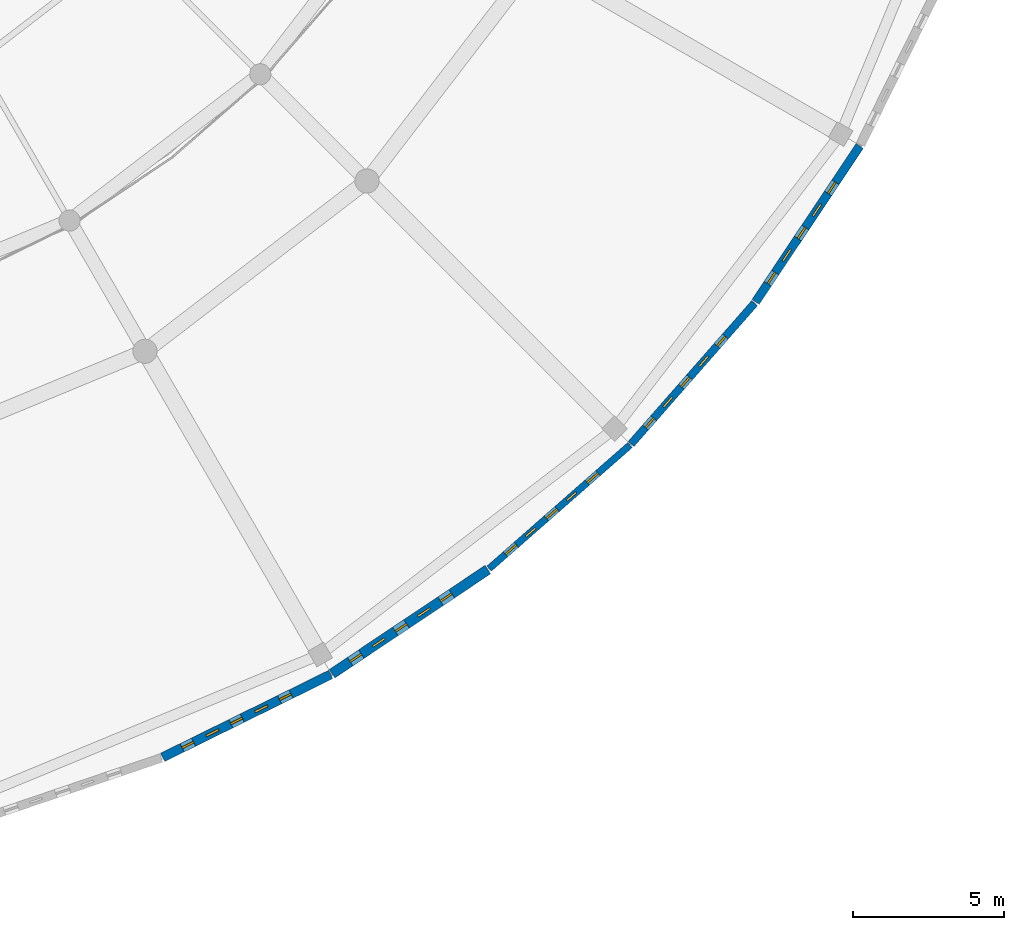
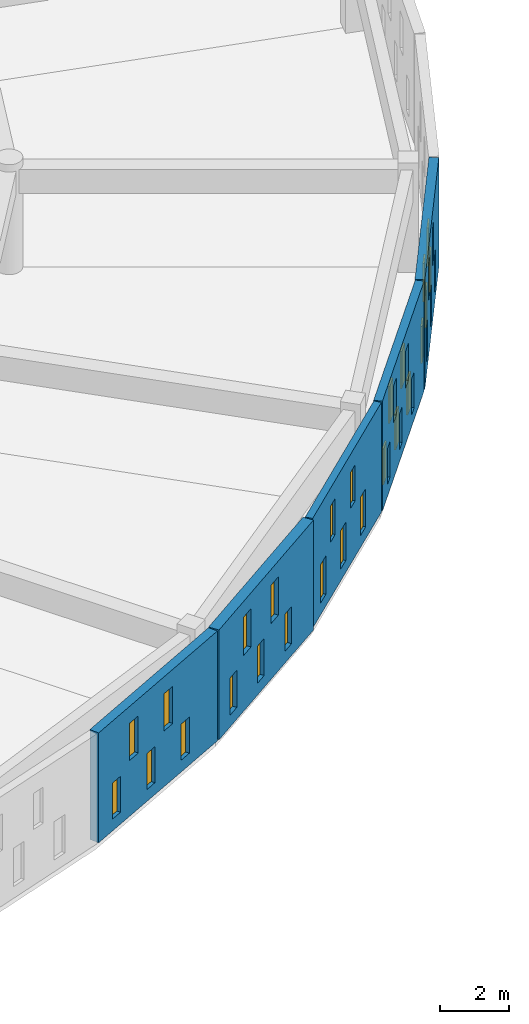
# One storey, part 58 of 98: 25 windows, 5 walls, 25 openings.
"""IFC4 building model written with IfcOpenShell, lengths in metres."""

import ifcopenshell
import ifcopenshell.guid

model = None  # the IFC model being written
_history = None  # IfcOwnerHistory: only IFC2X3 demands one
_inside = {}  # id of a spatial element -> (the spatial element, [elements in it])
_under = {}  # id of a project, library or spatial element -> (it, [spatial elements below it])
_declared = {}  # id of a project -> (the project, [libraries it declares])
_typed = {}  # id of a type object -> (the type object, [elements of that type])
_made_of = {}  # id of a material, layer set ... -> (it, [elements and type objects made of it])


def new_model(schema):
    """Start an empty IFC model of exactly this schema.

    Asked for "IFC4X3", IfcOpenShell would pick the latest addendum, in which some entities
    have other attributes; the version numbers below select the first issue.
    IFC2X3 requires an IfcOwnerHistory on every rooted entity: one is made here for all.
    """
    global model, _history
    if schema == "IFC4X3":
        model = ifcopenshell.file(schema_version=(4, 3, 0, 0))
    else:
        model = ifcopenshell.file(schema=schema)
    _inside.clear()
    _under.clear()
    _declared.clear()
    _typed.clear()
    _made_of.clear()
    _history = None
    if model.schema == "IFC2X3":
        org = make("IfcOrganization", Name="unknown")
        user = make(
            "IfcPersonAndOrganization",
            ThePerson=make("IfcPerson", FamilyName="unknown"),
            TheOrganization=org,
        )
        app = make(
            "IfcApplication",
            ApplicationDeveloper=org,
            Version="unknown",
            ApplicationFullName="unknown",
            ApplicationIdentifier="unknown",
        )
        _history = make(
            "IfcOwnerHistory",
            OwningUser=user,
            OwningApplication=app,
            ChangeAction="ADDED",
            CreationDate=0,
        )
    return model


def make(cls, **values):
    """One entity of the class cls with the attributes given. An attribute that is None is left unset."""
    return model.create_entity(
        cls, **{name: value for name, value in values.items() if value is not None}
    )


def rooted(cls, **values):
    """An entity with a GlobalId (a new one), such as an element, a storey or a relation."""
    return make(cls, GlobalId=ifcopenshell.guid.new(), OwnerHistory=_history, **values)


def si_unit(unit_type, name, prefix=None):
    """IfcSIUnit, for example si_unit("LENGTHUNIT", "METRE", prefix="MILLI")."""
    return make("IfcSIUnit", UnitType=unit_type, Prefix=prefix, Name=name)


def assignment(units):
    """IfcUnitAssignment: the units of a project."""
    return None if units is None else make("IfcUnitAssignment", Units=units)


def point(xyz):
    """IfcCartesianPoint."""
    return None if xyz is None else make("IfcCartesianPoint", Coordinates=xyz)


def direction(xyz):
    """IfcDirection."""
    return None if xyz is None else make("IfcDirection", DirectionRatios=xyz)


def frame(location, z_axis=None, x_axis=None):
    """IfcAxis2Placement3D, a coordinate frame: its origin and axes. An axis left out is left unset."""
    return make(
        "IfcAxis2Placement3D",
        Location=point(location),
        Axis=direction(z_axis),
        RefDirection=direction(x_axis),
    )


def frame_2d(location, x_axis=None):
    """IfcAxis2Placement2D, a coordinate frame in the plane: its origin and x axis."""
    return make(
        "IfcAxis2Placement2D", Location=point(location), RefDirection=direction(x_axis)
    )


def origin():
    """The frame at (0, 0, 0) with its axes left unset."""
    return frame((0.0, 0.0, 0.0))


def place(relative_to, where):
    """IfcLocalPlacement: puts the frame where relative to a parent placement (None: the world)."""
    return make(
        "IfcLocalPlacement", PlacementRelTo=relative_to, RelativePlacement=where
    )


def context(
    kind, dimensions, precision=None, world=None, true_north=None, identifier=None
):
    """IfcGeometricRepresentationContext, for example the 3D "Model" context."""
    return make(
        "IfcGeometricRepresentationContext",
        ContextIdentifier=identifier,
        ContextType=kind,
        CoordinateSpaceDimension=dimensions,
        Precision=precision,
        WorldCoordinateSystem=world,
        TrueNorth=true_north,
    )


def subcontext(parent, identifier, kind, view, scale=None):
    """IfcGeometricRepresentationSubContext, for example "Body" below "Model"."""
    return make(
        "IfcGeometricRepresentationSubContext",
        ContextIdentifier=identifier,
        ContextType=kind,
        ParentContext=parent,
        TargetScale=scale,
        TargetView=view,
    )


def project(units=None, contexts=None):
    """IfcProject with its units and contexts."""
    return rooted(
        "IfcProject",
        Name="project",
        RepresentationContexts=contexts,
        UnitsInContext=assignment(units),
    )


def spatial(cls, under=None, at=None, **own):
    """A site, building, storey or space (cls), placed at a placement, below another one or the project."""
    s = rooted(cls, ObjectPlacement=at, **own)
    if under is not None:
        _under.setdefault(under.id(), (under, []))[1].append(s)
    return s


def profile(cls, at=None, kind="AREA", **sizes):
    """A parametric profile (cls). Its sizes go by their IFC names, for example OverallWidth=200.0."""
    return make(cls, ProfileType=kind, Position=at, **sizes)


def rectangle(**sizes):
    """IfcRectangleProfileDef."""
    return profile("IfcRectangleProfileDef", **sizes)


def extrude(swept, where, along, depth):
    """IfcExtrudedAreaSolid: the profile swept, set in the frame where, extruded along a direction by depth."""
    return make(
        "IfcExtrudedAreaSolid",
        SweptArea=swept,
        Position=where,
        ExtrudedDirection=direction(along),
        Depth=depth,
    )


def shape(context_of_items, identifier, shape_type, items):
    """IfcShapeRepresentation: the items that make up one representation, for example the "Body"."""
    return make(
        "IfcShapeRepresentation",
        ContextOfItems=context_of_items,
        RepresentationIdentifier=identifier,
        RepresentationType=shape_type,
        Items=items,
    )


def material(Name=None, Category=None):
    """IfcMaterial."""
    return make("IfcMaterial", Name=Name, Category=Category)


def layer(
    of_material, thickness, ventilated=None, Name=None, Category=None, Priority=None
):
    """IfcMaterialLayer: one layer of a wall or slab, of a material (None: an air gap)."""
    return make(
        "IfcMaterialLayer",
        Material=of_material,
        LayerThickness=thickness,
        IsVentilated=ventilated,
        Name=Name,
        Category=Category,
        Priority=Priority,
    )


def layer_set(layers, Name=None):
    """IfcMaterialLayerSet."""
    return make("IfcMaterialLayerSet", MaterialLayers=layers, LayerSetName=Name)


def made_of(thing, what):
    """Note that an element or type object is made of a material, layer set ...; save() writes the relation."""
    if what is not None:
        _made_of.setdefault(what.id(), (what, []))[1].append(thing)
    return thing


def type_object(cls, material=None, **own):
    """A type object (cls), such as IfcWallType, which elements share."""
    return made_of(rooted(cls, **own), material)


def element(
    cls,
    number,
    at=None,
    inside=None,
    cuts=None,
    type_object=None,
    material=None,
    context=None,
    identifier="Body",
    shape_type=None,
    held_by="IfcProductDefinitionShape",
    body=None,
    shapes=None,
    **own,
):
    """One element of the class cls, such as IfcWall. Its Tag is "e" and its number.

    at: its placement. inside: the storey or other place that contains it. cuts: it is an
    opening in that element (IfcRelVoidsElement). A single representation is given by context,
    identifier, shape_type and body (its items); several are given by shapes. held_by: the class
    of the entity that holds the representations. save() writes the other relations.
    """
    e = rooted(cls, Tag="e%d" % number, ObjectPlacement=at, **own)
    if body is not None:
        shapes = [shape(context, identifier, shape_type, body)]
    if shapes is not None:
        e.Representation = make(held_by, Representations=shapes)
    if inside is not None:
        _inside.setdefault(inside.id(), (inside, []))[1].append(e)
    if cuts is not None:
        rooted(
            "IfcRelVoidsElement", RelatingBuildingElement=cuts, RelatedOpeningElement=e
        )
    if type_object is not None:
        _typed.setdefault(type_object.id(), (type_object, []))[1].append(e)
    return made_of(e, material)


def fill(opening, filler):
    """IfcRelFillsElement: the door or window that sits in an opening."""
    return rooted(
        "IfcRelFillsElement",
        RelatingOpeningElement=opening,
        RelatedBuildingElement=filler,
    )


def aggregate(whole, parts):
    """IfcRelAggregates: a whole, such as a stair, and the parts it consists of."""
    return rooted("IfcRelAggregates", RelatingObject=whole, RelatedObjects=parts)


def save(model, path):
    """Write the relations noted so far, then the file.

    IfcRelAggregates (storeys below a building ...), IfcRelContainedInSpatialStructure (elements
    in a storey), IfcRelDefinesByType, IfcRelAssociatesMaterial and IfcRelDeclares: one each for
    every whole, place, type object, material and project.
    """
    for whole, parts in _under.values():
        aggregate(whole, parts)
    for where, things in _inside.values():
        rooted(
            "IfcRelContainedInSpatialStructure",
            RelatedElements=things,
            RelatingStructure=where,
        )
    for kind, things in _typed.values():
        rooted("IfcRelDefinesByType", RelatedObjects=things, RelatingType=kind)
    for what, things in _made_of.values():
        rooted("IfcRelAssociatesMaterial", RelatedObjects=things, RelatingMaterial=what)
    for by, libraries in _declared.values():
        rooted("IfcRelDeclares", RelatingContext=by, RelatedDefinitions=libraries)
    model.write(path)


model = new_model("IFC4")

# Units and contexts
model_context = context("Model", 3, precision=1e-05, world=origin(), true_north=direction((0.0, 1.0)))
body_context = subcontext(model_context, "Body", "Model", "MODEL_VIEW")
ifc_project = project(units=[si_unit("LENGTHUNIT", "METRE"), si_unit("AREAUNIT", "SQUARE_METRE"), si_unit("VOLUMEUNIT", "CUBIC_METRE"), si_unit("PLANEANGLEUNIT", "RADIAN"), si_unit("MASSUNIT", "GRAM", prefix="KILO")], contexts=[model_context])

# Site, building, storey
site_placement = place(None, origin())
site = spatial("IfcSite", under=ifc_project, at=site_placement, CompositionType="ELEMENT")
building_placement = place(site_placement, origin())
building = spatial("IfcBuilding", under=site, at=building_placement, Name="Larkveld Mobility Hub", CompositionType="ELEMENT")
storey_placement = place(building_placement, frame((0.0, 0.0, 4.5)))
storey = spatial("IfcBuildingStorey", under=building, at=storey_placement, Name="L01", CompositionType="ELEMENT", Elevation=4.5)

# Wall, openings, windows
ifc_material_1 = material(Name="Fired clay brick 25 MPa", Category="masonry")
ifc_layer_1 = layer(ifc_material_1, 0.22998046875, Name="Fired clay brick 25 MPa", Category="masonry")
ifc_layer_set_1 = layer_set([ifc_layer_1], Name="Fired clay brick 25 MPa")
wall_type_1 = type_object("IfcWallType", Name="WL-BRK-230", PredefinedType="USERDEFINED", material=ifc_layer_set_1)
wall_1_placement = place(storey_placement, frame((77.14697265625, 10.053955078125, 0.0), z_axis=(0.0, 0.0, 1.0), x_axis=(0.751874993266, 0.65930569124, 0.0)))
wall_1 = element("IfcWall", 1, at=wall_1_placement, inside=storey, type_object=wall_type_1, Name="Drum Woven Open-Bond Brick Chord L01-0086", ObjectType="PERFORATED BRICK SCREEN", PredefinedType="USERDEFINED", context=body_context, shape_type="SweptSolid", body=[
    extrude(rectangle(XDim=6.2109375, YDim=0.22998046875, at=frame_2d((3.10546875, 0.0))), origin(), (0.0, 0.0, 1.0), 3.89990234375),
])
opening_1_placement = place(wall_1_placement, frame((0.719970703125, 0.0, 0.419921875)))
opening_1 = element("IfcOpeningElement", 2, at=opening_1_placement, cuts=wall_1, Name="Opening W03", PredefinedType="OPENING", context=body_context, shape_type="SweptSolid", body=[
    extrude(rectangle(XDim=0.47998046875, YDim=1.360107421875, at=frame_2d((0.239990234375, 0.68017578125))), frame((0.0, 0.125, 0.0), z_axis=(0.0, -1.0, 0.0), x_axis=(1.0, 0.0, 0.0)), (0.0, 0.0, 1.0), 0.25),
])
opening_2_placement = place(wall_1_placement, frame((2.52001953125, 0.0, 0.419921875)))
opening_2 = element("IfcOpeningElement", 3, at=opening_2_placement, cuts=wall_1, Name="Opening W03", PredefinedType="OPENING", context=body_context, shape_type="SweptSolid", body=[
    extrude(rectangle(XDim=0.47998046875, YDim=1.360107421875, at=frame_2d((0.239990234375, 0.68017578125))), frame((0.0, 0.125, 0.0), z_axis=(0.0, -1.0, 0.0), x_axis=(1.0, 0.0, 0.0)), (0.0, 0.0, 1.0), 0.25),
])
opening_3_placement = place(wall_1_placement, frame((4.320068359375, 0.0, 0.419921875)))
opening_3 = element("IfcOpeningElement", 4, at=opening_3_placement, cuts=wall_1, Name="Opening W03", PredefinedType="OPENING", context=body_context, shape_type="SweptSolid", body=[
    extrude(rectangle(XDim=0.47998046875, YDim=1.360107421875, at=frame_2d((0.239990234375, 0.68017578125))), frame((0.0, 0.125, 0.0), z_axis=(0.0, -1.0, 0.0), x_axis=(1.0, 0.0, 0.0)), (0.0, 0.0, 1.0), 0.25),
])
opening_4_placement = place(wall_1_placement, frame((1.6201171875, 0.0, 1.97998046875)))
opening_4 = element("IfcOpeningElement", 5, at=opening_4_placement, cuts=wall_1, Name="Opening W01", PredefinedType="OPENING", context=body_context, shape_type="SweptSolid", body=[
    extrude(rectangle(XDim=0.419921875, YDim=1.280029296875, at=frame_2d((0.2099609375, 0.64013671875))), frame((0.0, 0.125, 0.0), z_axis=(0.0, -1.0, 0.0), x_axis=(1.0, 0.0, 0.0)), (0.0, 0.0, 1.0), 0.25),
])
opening_5_placement = place(wall_1_placement, frame((3.419921875, 0.0, 1.97998046875)))
opening_5 = element("IfcOpeningElement", 6, at=opening_5_placement, cuts=wall_1, Name="Opening W01", PredefinedType="OPENING", context=body_context, shape_type="SweptSolid", body=[
    extrude(rectangle(XDim=0.419921875, YDim=1.280029296875, at=frame_2d((0.2099609375, 0.64013671875))), frame((0.0, 0.125, 0.0), z_axis=(0.0, -1.0, 0.0), x_axis=(1.0, 0.0, 0.0)), (0.0, 0.0, 1.0), 0.25),
])
ifc_material_2 = material(Name="Extruded aluminium ventilation grille", Category="aluminium")
window_type_1 = type_object("IfcWindowType", Name="WN-VENT-01", PartitioningType="SINGLE_PANEL", PredefinedType="WINDOW", material=ifc_material_2)
window_1_placement = place(opening_4_placement, origin())
window_1 = element("IfcWindow", 7, at=window_1_placement, inside=storey, type_object=window_type_1, Name="Window W01 (0419)", OverallHeight=1.280029296875, OverallWidth=0.419921875, PartitioningType="SINGLE_PANEL", PredefinedType="WINDOW", context=body_context, shape_type="SweptSolid", body=[
    extrude(rectangle(XDim=0.419921875, YDim=1.280029296875, at=frame_2d((0.2099609375, 0.64013671875))), frame((0.0, 0.030029296875, 0.0), z_axis=(0.0, -1.0, 0.0), x_axis=(1.0, 0.0, 0.0)), (0.0, 0.0, 1.0), 0.06005859375),
])
fill(opening_4, window_1)
window_2_placement = place(opening_5_placement, origin())
window_2 = element("IfcWindow", 8, at=window_2_placement, inside=storey, type_object=window_type_1, Name="Window W01 (0420)", OverallHeight=1.280029296875, OverallWidth=0.419921875, PartitioningType="SINGLE_PANEL", PredefinedType="WINDOW", context=body_context, shape_type="SweptSolid", body=[
    extrude(rectangle(XDim=0.419921875, YDim=1.280029296875, at=frame_2d((0.2099609375, 0.64013671875))), frame((0.0, 0.030029296875, 0.0), z_axis=(0.0, -1.0, 0.0), x_axis=(1.0, 0.0, 0.0)), (0.0, 0.0, 1.0), 0.06005859375),
])
fill(opening_5, window_2)
window_type_2 = type_object("IfcWindowType", Name="WN-VENT-03", PartitioningType="SINGLE_PANEL", PredefinedType="WINDOW", material=ifc_material_2)
window_3_placement = place(opening_1_placement, origin())
window_3 = element("IfcWindow", 9, at=window_3_placement, inside=storey, type_object=window_type_2, Name="Window W03 (0416)", OverallHeight=1.360107421875, OverallWidth=0.47998046875, PartitioningType="SINGLE_PANEL", PredefinedType="WINDOW", context=body_context, shape_type="SweptSolid", body=[
    extrude(rectangle(XDim=0.47998046875, YDim=1.360107421875, at=frame_2d((0.239990234375, 0.68017578125))), frame((0.0, 0.030029296875, 0.0), z_axis=(0.0, -1.0, 0.0), x_axis=(1.0, 0.0, 0.0)), (0.0, 0.0, 1.0), 0.06005859375),
])
fill(opening_1, window_3)
window_4_placement = place(opening_2_placement, origin())
window_4 = element("IfcWindow", 10, at=window_4_placement, inside=storey, type_object=window_type_2, Name="Window W03 (0417)", OverallHeight=1.360107421875, OverallWidth=0.47998046875, PartitioningType="SINGLE_PANEL", PredefinedType="WINDOW", context=body_context, shape_type="SweptSolid", body=[
    extrude(rectangle(XDim=0.47998046875, YDim=1.360107421875, at=frame_2d((0.239990234375, 0.68017578125))), frame((0.0, 0.030029296875, 0.0), z_axis=(0.0, -1.0, 0.0), x_axis=(1.0, 0.0, 0.0)), (0.0, 0.0, 1.0), 0.06005859375),
])
fill(opening_2, window_4)
window_5_placement = place(opening_3_placement, origin())
window_5 = element("IfcWindow", 11, at=window_5_placement, inside=storey, type_object=window_type_2, Name="Window W03 (0418)", OverallHeight=1.360107421875, OverallWidth=0.47998046875, PartitioningType="SINGLE_PANEL", PredefinedType="WINDOW", context=body_context, shape_type="SweptSolid", body=[
    extrude(rectangle(XDim=0.47998046875, YDim=1.360107421875, at=frame_2d((0.239990234375, 0.68017578125))), frame((0.0, 0.030029296875, 0.0), z_axis=(0.0, -1.0, 0.0), x_axis=(1.0, 0.0, 0.0)), (0.0, 0.0, 1.0), 0.06005859375),
])
fill(opening_3, window_5)

ifc_layer_2 = layer(ifc_material_1, 0.260009765625, Name="Fired clay brick 25 MPa", Category="masonry")
ifc_layer_set_2 = layer_set([ifc_layer_2], Name="Fired clay brick 25 MPa")
wall_type_2 = type_object("IfcWallType", Name="WL-BRK-260", PredefinedType="USERDEFINED", material=ifc_layer_set_2)
wall_2_placement = place(storey_placement, frame((81.85107421875, 14.18310546875, 0.0), z_axis=(0.0, 0.0, 1.0), x_axis=(0.65930569124, 0.751874993266, 0.0)))
wall_2 = element("IfcWall", 12, at=wall_2_placement, inside=storey, type_object=wall_type_2, Name="Drum Woven Open-Bond Brick Chord L01-0087", ObjectType="PERFORATED BRICK SCREEN", PredefinedType="USERDEFINED", context=body_context, shape_type="SweptSolid", body=[
    extrude(rectangle(XDim=6.2109375, YDim=0.260009765625, at=frame_2d((3.10546875, 0.0))), origin(), (0.0, 0.0, 1.0), 3.89990234375),
])
opening_6_placement = place(wall_2_placement, frame((0.719970703125, 0.0, 0.419921875)))
opening_6 = element("IfcOpeningElement", 13, at=opening_6_placement, cuts=wall_2, Name="Opening W01", PredefinedType="OPENING", context=body_context, shape_type="SweptSolid", body=[
    extrude(rectangle(XDim=0.419921875, YDim=1.280029296875, at=frame_2d((0.2099609375, 0.64013671875))), frame((0.0, 0.14013671875, 0.0), z_axis=(0.0, -1.0, 0.0), x_axis=(1.0, 0.0, 0.0)), (0.0, 0.0, 1.0), 0.280029296875),
])
opening_7_placement = place(wall_2_placement, frame((2.52001953125, 0.0, 0.419921875)))
opening_7 = element("IfcOpeningElement", 14, at=opening_7_placement, cuts=wall_2, Name="Opening W01", PredefinedType="OPENING", context=body_context, shape_type="SweptSolid", body=[
    extrude(rectangle(XDim=0.419921875, YDim=1.280029296875, at=frame_2d((0.2099609375, 0.64013671875))), frame((0.0, 0.14013671875, 0.0), z_axis=(0.0, -1.0, 0.0), x_axis=(1.0, 0.0, 0.0)), (0.0, 0.0, 1.0), 0.280029296875),
])
opening_8_placement = place(wall_2_placement, frame((4.320068359375, 0.0, 0.419921875)))
opening_8 = element("IfcOpeningElement", 15, at=opening_8_placement, cuts=wall_2, Name="Opening W01", PredefinedType="OPENING", context=body_context, shape_type="SweptSolid", body=[
    extrude(rectangle(XDim=0.419921875, YDim=1.280029296875, at=frame_2d((0.2099609375, 0.64013671875))), frame((0.0, 0.14013671875, 0.0), z_axis=(0.0, -1.0, 0.0), x_axis=(1.0, 0.0, 0.0)), (0.0, 0.0, 1.0), 0.280029296875),
])
opening_9_placement = place(wall_2_placement, frame((1.6201171875, 0.0, 1.97998046875)))
opening_9 = element("IfcOpeningElement", 16, at=opening_9_placement, cuts=wall_2, Name="Opening W02", PredefinedType="OPENING", context=body_context, shape_type="SweptSolid", body=[
    extrude(rectangle(XDim=0.449951171875, YDim=1.320068359375, at=frame_2d((0.22509765625, 0.66015625))), frame((0.0, 0.14013671875, 0.0), z_axis=(0.0, -1.0, 0.0), x_axis=(1.0, 0.0, 0.0)), (0.0, 0.0, 1.0), 0.280029296875),
])
opening_10_placement = place(wall_2_placement, frame((3.419921875, 0.0, 1.97998046875)))
opening_10 = element("IfcOpeningElement", 17, at=opening_10_placement, cuts=wall_2, Name="Opening W02", PredefinedType="OPENING", context=body_context, shape_type="SweptSolid", body=[
    extrude(rectangle(XDim=0.449951171875, YDim=1.320068359375, at=frame_2d((0.22509765625, 0.66015625))), frame((0.0, 0.14013671875, 0.0), z_axis=(0.0, -1.0, 0.0), x_axis=(1.0, 0.0, 0.0)), (0.0, 0.0, 1.0), 0.280029296875),
])
window_6_placement = place(opening_6_placement, origin())
window_6 = element("IfcWindow", 18, at=window_6_placement, inside=storey, type_object=window_type_1, Name="Window W01 (0421)", OverallHeight=1.280029296875, OverallWidth=0.419921875, PartitioningType="SINGLE_PANEL", PredefinedType="WINDOW", context=body_context, shape_type="SweptSolid", body=[
    extrude(rectangle(XDim=0.419921875, YDim=1.280029296875, at=frame_2d((0.2099609375, 0.64013671875))), frame((0.0, 0.030029296875, 0.0), z_axis=(0.0, -1.0, 0.0), x_axis=(1.0, 0.0, 0.0)), (0.0, 0.0, 1.0), 0.06005859375),
])
fill(opening_6, window_6)
window_7_placement = place(opening_7_placement, origin())
window_7 = element("IfcWindow", 19, at=window_7_placement, inside=storey, type_object=window_type_1, Name="Window W01 (0422)", OverallHeight=1.280029296875, OverallWidth=0.419921875, PartitioningType="SINGLE_PANEL", PredefinedType="WINDOW", context=body_context, shape_type="SweptSolid", body=[
    extrude(rectangle(XDim=0.419921875, YDim=1.280029296875, at=frame_2d((0.2099609375, 0.64013671875))), frame((0.0, 0.030029296875, 0.0), z_axis=(0.0, -1.0, 0.0), x_axis=(1.0, 0.0, 0.0)), (0.0, 0.0, 1.0), 0.06005859375),
])
fill(opening_7, window_7)
window_8_placement = place(opening_8_placement, origin())
window_8 = element("IfcWindow", 20, at=window_8_placement, inside=storey, type_object=window_type_1, Name="Window W01 (0423)", OverallHeight=1.280029296875, OverallWidth=0.419921875, PartitioningType="SINGLE_PANEL", PredefinedType="WINDOW", context=body_context, shape_type="SweptSolid", body=[
    extrude(rectangle(XDim=0.419921875, YDim=1.280029296875, at=frame_2d((0.2099609375, 0.64013671875))), frame((0.0, 0.030029296875, 0.0), z_axis=(0.0, -1.0, 0.0), x_axis=(1.0, 0.0, 0.0)), (0.0, 0.0, 1.0), 0.06005859375),
])
fill(opening_8, window_8)
window_type_3 = type_object("IfcWindowType", Name="WN-VENT-02", PartitioningType="SINGLE_PANEL", PredefinedType="WINDOW", material=ifc_material_2)
window_9_placement = place(opening_9_placement, origin())
window_9 = element("IfcWindow", 21, at=window_9_placement, inside=storey, type_object=window_type_3, Name="Window W02 (0424)", OverallHeight=1.320068359375, OverallWidth=0.449951171875, PartitioningType="SINGLE_PANEL", PredefinedType="WINDOW", context=body_context, shape_type="SweptSolid", body=[
    extrude(rectangle(XDim=0.449951171875, YDim=1.320068359375, at=frame_2d((0.22509765625, 0.66015625))), frame((0.0, 0.030029296875, 0.0), z_axis=(0.0, -1.0, 0.0), x_axis=(1.0, 0.0, 0.0)), (0.0, 0.0, 1.0), 0.06005859375),
])
fill(opening_9, window_9)
window_10_placement = place(opening_10_placement, origin())
window_10 = element("IfcWindow", 22, at=window_10_placement, inside=storey, type_object=window_type_3, Name="Window W02 (0425)", OverallHeight=1.320068359375, OverallWidth=0.449951171875, PartitioningType="SINGLE_PANEL", PredefinedType="WINDOW", context=body_context, shape_type="SweptSolid", body=[
    extrude(rectangle(XDim=0.449951171875, YDim=1.320068359375, at=frame_2d((0.22509765625, 0.66015625))), frame((0.0, 0.030029296875, 0.0), z_axis=(0.0, -1.0, 0.0), x_axis=(1.0, 0.0, 0.0)), (0.0, 0.0, 1.0), 0.06005859375),
])
fill(opening_10, window_10)

ifc_layer_3 = layer(ifc_material_1, 0.2900390625, Name="Fired clay brick 25 MPa", Category="masonry")
ifc_layer_set_3 = layer_set([ifc_layer_3], Name="Fired clay brick 25 MPa")
wall_type_3 = type_object("IfcWallType", Name="WL-BRK-290", PredefinedType="USERDEFINED", material=ifc_layer_set_3)
wall_3_placement = place(storey_placement, frame((85.97509765625, 18.89111328125, 0.0), z_axis=(0.0, 0.0, 1.0), x_axis=(0.555634193664, 0.831426871608, 0.0)))
wall_3 = element("IfcWall", 23, at=wall_3_placement, inside=storey, type_object=wall_type_3, Name="Drum Woven Open-Bond Brick Chord L01-0088", ObjectType="PERFORATED BRICK SCREEN", PredefinedType="USERDEFINED", context=body_context, shape_type="SweptSolid", body=[
    extrude(rectangle(XDim=6.210693359375, YDim=0.2900390625, at=frame_2d((3.10546875, 0.0))), origin(), (0.0, 0.0, 1.0), 3.89990234375),
])
opening_11_placement = place(wall_3_placement, frame((0.719970703125, 0.0, 0.419921875)))
opening_11 = element("IfcOpeningElement", 24, at=opening_11_placement, cuts=wall_3, Name="Opening W02", PredefinedType="OPENING", context=body_context, shape_type="SweptSolid", body=[
    extrude(rectangle(XDim=0.449951171875, YDim=1.320068359375, at=frame_2d((0.22509765625, 0.66015625))), frame((0.0, 0.155029296875, 0.0), z_axis=(0.0, -1.0, 0.0), x_axis=(1.0, 0.0, 0.0)), (0.0, 0.0, 1.0), 0.31005859375),
])
opening_12_placement = place(wall_3_placement, frame((2.52001953125, 0.0, 0.419921875)))
opening_12 = element("IfcOpeningElement", 25, at=opening_12_placement, cuts=wall_3, Name="Opening W02", PredefinedType="OPENING", context=body_context, shape_type="SweptSolid", body=[
    extrude(rectangle(XDim=0.449951171875, YDim=1.320068359375, at=frame_2d((0.22509765625, 0.66015625))), frame((0.0, 0.155029296875, 0.0), z_axis=(0.0, -1.0, 0.0), x_axis=(1.0, 0.0, 0.0)), (0.0, 0.0, 1.0), 0.31005859375),
])
opening_13_placement = place(wall_3_placement, frame((4.320068359375, 0.0, 0.419921875)))
opening_13 = element("IfcOpeningElement", 26, at=opening_13_placement, cuts=wall_3, Name="Opening W02", PredefinedType="OPENING", context=body_context, shape_type="SweptSolid", body=[
    extrude(rectangle(XDim=0.449951171875, YDim=1.320068359375, at=frame_2d((0.22509765625, 0.66015625))), frame((0.0, 0.155029296875, 0.0), z_axis=(0.0, -1.0, 0.0), x_axis=(1.0, 0.0, 0.0)), (0.0, 0.0, 1.0), 0.31005859375),
])
opening_14_placement = place(wall_3_placement, frame((1.6201171875, 0.0, 1.97998046875)))
opening_14 = element("IfcOpeningElement", 27, at=opening_14_placement, cuts=wall_3, Name="Opening W03", PredefinedType="OPENING", context=body_context, shape_type="SweptSolid", body=[
    extrude(rectangle(XDim=0.47998046875, YDim=1.360107421875, at=frame_2d((0.239990234375, 0.68017578125))), frame((0.0, 0.155029296875, 0.0), z_axis=(0.0, -1.0, 0.0), x_axis=(1.0, 0.0, 0.0)), (0.0, 0.0, 1.0), 0.31005859375),
])
opening_15_placement = place(wall_3_placement, frame((3.419921875, 0.0, 1.97998046875)))
opening_15 = element("IfcOpeningElement", 28, at=opening_15_placement, cuts=wall_3, Name="Opening W03", PredefinedType="OPENING", context=body_context, shape_type="SweptSolid", body=[
    extrude(rectangle(XDim=0.47998046875, YDim=1.360107421875, at=frame_2d((0.239990234375, 0.68017578125))), frame((0.0, 0.155029296875, 0.0), z_axis=(0.0, -1.0, 0.0), x_axis=(1.0, 0.0, 0.0)), (0.0, 0.0, 1.0), 0.31005859375),
])
window_11_placement = place(opening_11_placement, origin())
window_11 = element("IfcWindow", 29, at=window_11_placement, inside=storey, type_object=window_type_3, Name="Window W02 (0426)", OverallHeight=1.320068359375, OverallWidth=0.449951171875, PartitioningType="SINGLE_PANEL", PredefinedType="WINDOW", context=body_context, shape_type="SweptSolid", body=[
    extrude(rectangle(XDim=0.449951171875, YDim=1.320068359375, at=frame_2d((0.22509765625, 0.66015625))), frame((0.0, 0.030029296875, 0.0), z_axis=(0.0, -1.0, 0.0), x_axis=(1.0, 0.0, 0.0)), (0.0, 0.0, 1.0), 0.06005859375),
])
fill(opening_11, window_11)
window_12_placement = place(opening_12_placement, origin())
window_12 = element("IfcWindow", 30, at=window_12_placement, inside=storey, type_object=window_type_3, Name="Window W02 (0427)", OverallHeight=1.320068359375, OverallWidth=0.449951171875, PartitioningType="SINGLE_PANEL", PredefinedType="WINDOW", context=body_context, shape_type="SweptSolid", body=[
    extrude(rectangle(XDim=0.449951171875, YDim=1.320068359375, at=frame_2d((0.22509765625, 0.66015625))), frame((0.0, 0.030029296875, 0.0), z_axis=(0.0, -1.0, 0.0), x_axis=(1.0, 0.0, 0.0)), (0.0, 0.0, 1.0), 0.06005859375),
])
fill(opening_12, window_12)
window_13_placement = place(opening_13_placement, origin())
window_13 = element("IfcWindow", 31, at=window_13_placement, inside=storey, type_object=window_type_3, Name="Window W02 (0428)", OverallHeight=1.320068359375, OverallWidth=0.449951171875, PartitioningType="SINGLE_PANEL", PredefinedType="WINDOW", context=body_context, shape_type="SweptSolid", body=[
    extrude(rectangle(XDim=0.449951171875, YDim=1.320068359375, at=frame_2d((0.22509765625, 0.66015625))), frame((0.0, 0.030029296875, 0.0), z_axis=(0.0, -1.0, 0.0), x_axis=(1.0, 0.0, 0.0)), (0.0, 0.0, 1.0), 0.06005859375),
])
fill(opening_13, window_13)
window_14_placement = place(opening_14_placement, origin())
window_14 = element("IfcWindow", 32, at=window_14_placement, inside=storey, type_object=window_type_2, Name="Window W03 (0429)", OverallHeight=1.360107421875, OverallWidth=0.47998046875, PartitioningType="SINGLE_PANEL", PredefinedType="WINDOW", context=body_context, shape_type="SweptSolid", body=[
    extrude(rectangle(XDim=0.47998046875, YDim=1.360107421875, at=frame_2d((0.239990234375, 0.68017578125))), frame((0.0, 0.030029296875, 0.0), z_axis=(0.0, -1.0, 0.0), x_axis=(1.0, 0.0, 0.0)), (0.0, 0.0, 1.0), 0.06005859375),
])
fill(opening_14, window_14)
window_15_placement = place(opening_15_placement, origin())
window_15 = element("IfcWindow", 33, at=window_15_placement, inside=storey, type_object=window_type_2, Name="Window W03 (0430)", OverallHeight=1.360107421875, OverallWidth=0.47998046875, PartitioningType="SINGLE_PANEL", PredefinedType="WINDOW", context=body_context, shape_type="SweptSolid", body=[
    extrude(rectangle(XDim=0.47998046875, YDim=1.360107421875, at=frame_2d((0.239990234375, 0.68017578125))), frame((0.0, 0.030029296875, 0.0), z_axis=(0.0, -1.0, 0.0), x_axis=(1.0, 0.0, 0.0)), (0.0, 0.0, 1.0), 0.06005859375),
])
fill(opening_15, window_15)

ifc_layer_4 = layer(ifc_material_1, 0.31005859375, Name="Fired clay brick 25 MPa", Category="masonry")
ifc_layer_set_4 = layer_set([ifc_layer_4], Name="Fired clay brick 25 MPa")
wall_type_4 = type_object("IfcWallType", Name="WL-BRK-310", PredefinedType="USERDEFINED", material=ifc_layer_set_4)
wall_4_placement = place(storey_placement, frame((66.3330078125, 3.802978515625, 0.0), z_axis=(0.0, 0.0, 1.0), x_axis=(0.896858908126, 0.442316740488, 0.0)))
wall_4 = element("IfcWall", 34, at=wall_4_placement, inside=storey, type_object=wall_type_4, Name="Drum Woven Open-Bond Brick Chord L01-0084", ObjectType="PERFORATED BRICK SCREEN", PredefinedType="USERDEFINED", context=body_context, shape_type="SweptSolid", body=[
    extrude(rectangle(XDim=6.210693359375, YDim=0.31005859375, at=frame_2d((3.10546875, 0.0))), origin(), (0.0, 0.0, 1.0), 3.89990234375),
])
opening_16_placement = place(wall_4_placement, frame((0.719970703125, 0.0, 0.419921875)))
opening_16 = element("IfcOpeningElement", 35, at=opening_16_placement, cuts=wall_4, Name="Opening W01", PredefinedType="OPENING", context=body_context, shape_type="SweptSolid", body=[
    extrude(rectangle(XDim=0.419921875, YDim=1.280029296875, at=frame_2d((0.2099609375, 0.64013671875))), frame((0.0, 0.1650390625, 0.0), z_axis=(0.0, -1.0, 0.0), x_axis=(1.0, 0.0, 0.0)), (0.0, 0.0, 1.0), 0.330078125),
])
opening_17_placement = place(wall_4_placement, frame((2.52001953125, 0.0, 0.419921875)))
opening_17 = element("IfcOpeningElement", 36, at=opening_17_placement, cuts=wall_4, Name="Opening W01", PredefinedType="OPENING", context=body_context, shape_type="SweptSolid", body=[
    extrude(rectangle(XDim=0.419921875, YDim=1.280029296875, at=frame_2d((0.2099609375, 0.64013671875))), frame((0.0, 0.1650390625, 0.0), z_axis=(0.0, -1.0, 0.0), x_axis=(1.0, 0.0, 0.0)), (0.0, 0.0, 1.0), 0.330078125),
])
opening_18_placement = place(wall_4_placement, frame((4.320068359375, 0.0, 0.419921875)))
opening_18 = element("IfcOpeningElement", 37, at=opening_18_placement, cuts=wall_4, Name="Opening W01", PredefinedType="OPENING", context=body_context, shape_type="SweptSolid", body=[
    extrude(rectangle(XDim=0.419921875, YDim=1.280029296875, at=frame_2d((0.2099609375, 0.64013671875))), frame((0.0, 0.1650390625, 0.0), z_axis=(0.0, -1.0, 0.0), x_axis=(1.0, 0.0, 0.0)), (0.0, 0.0, 1.0), 0.330078125),
])
opening_19_placement = place(wall_4_placement, frame((1.6201171875, 0.0, 1.97998046875)))
opening_19 = element("IfcOpeningElement", 38, at=opening_19_placement, cuts=wall_4, Name="Opening W02", PredefinedType="OPENING", context=body_context, shape_type="SweptSolid", body=[
    extrude(rectangle(XDim=0.449951171875, YDim=1.320068359375, at=frame_2d((0.22509765625, 0.66015625))), frame((0.0, 0.1650390625, 0.0), z_axis=(0.0, -1.0, 0.0), x_axis=(1.0, 0.0, 0.0)), (0.0, 0.0, 1.0), 0.330078125),
])
opening_20_placement = place(wall_4_placement, frame((3.419921875, 0.0, 1.97998046875)))
opening_20 = element("IfcOpeningElement", 39, at=opening_20_placement, cuts=wall_4, Name="Opening W02", PredefinedType="OPENING", context=body_context, shape_type="SweptSolid", body=[
    extrude(rectangle(XDim=0.449951171875, YDim=1.320068359375, at=frame_2d((0.22509765625, 0.66015625))), frame((0.0, 0.1650390625, 0.0), z_axis=(0.0, -1.0, 0.0), x_axis=(1.0, 0.0, 0.0)), (0.0, 0.0, 1.0), 0.330078125),
])
window_16_placement = place(opening_16_placement, origin())
window_16 = element("IfcWindow", 40, at=window_16_placement, inside=storey, type_object=window_type_1, Name="Window W01 (0406)", OverallHeight=1.280029296875, OverallWidth=0.419921875, PartitioningType="SINGLE_PANEL", PredefinedType="WINDOW", context=body_context, shape_type="SweptSolid", body=[
    extrude(rectangle(XDim=0.419921875, YDim=1.280029296875, at=frame_2d((0.2099609375, 0.64013671875))), frame((0.0, 0.030029296875, 0.0), z_axis=(0.0, -1.0, 0.0), x_axis=(1.0, 0.0, 0.0)), (0.0, 0.0, 1.0), 0.06005859375),
])
fill(opening_16, window_16)
window_17_placement = place(opening_17_placement, origin())
window_17 = element("IfcWindow", 41, at=window_17_placement, inside=storey, type_object=window_type_1, Name="Window W01 (0407)", OverallHeight=1.280029296875, OverallWidth=0.419921875, PartitioningType="SINGLE_PANEL", PredefinedType="WINDOW", context=body_context, shape_type="SweptSolid", body=[
    extrude(rectangle(XDim=0.419921875, YDim=1.280029296875, at=frame_2d((0.2099609375, 0.64013671875))), frame((0.0, 0.030029296875, 0.0), z_axis=(0.0, -1.0, 0.0), x_axis=(1.0, 0.0, 0.0)), (0.0, 0.0, 1.0), 0.06005859375),
])
fill(opening_17, window_17)
window_18_placement = place(opening_18_placement, origin())
window_18 = element("IfcWindow", 42, at=window_18_placement, inside=storey, type_object=window_type_1, Name="Window W01 (0408)", OverallHeight=1.280029296875, OverallWidth=0.419921875, PartitioningType="SINGLE_PANEL", PredefinedType="WINDOW", context=body_context, shape_type="SweptSolid", body=[
    extrude(rectangle(XDim=0.419921875, YDim=1.280029296875, at=frame_2d((0.2099609375, 0.64013671875))), frame((0.0, 0.030029296875, 0.0), z_axis=(0.0, -1.0, 0.0), x_axis=(1.0, 0.0, 0.0)), (0.0, 0.0, 1.0), 0.06005859375),
])
fill(opening_18, window_18)
window_19_placement = place(opening_19_placement, origin())
window_19 = element("IfcWindow", 43, at=window_19_placement, inside=storey, type_object=window_type_3, Name="Window W02 (0409)", OverallHeight=1.320068359375, OverallWidth=0.449951171875, PartitioningType="SINGLE_PANEL", PredefinedType="WINDOW", context=body_context, shape_type="SweptSolid", body=[
    extrude(rectangle(XDim=0.449951171875, YDim=1.320068359375, at=frame_2d((0.22509765625, 0.66015625))), frame((0.0, 0.030029296875, 0.0), z_axis=(0.0, -1.0, 0.0), x_axis=(1.0, 0.0, 0.0)), (0.0, 0.0, 1.0), 0.06005859375),
])
fill(opening_19, window_19)
window_20_placement = place(opening_20_placement, origin())
window_20 = element("IfcWindow", 44, at=window_20_placement, inside=storey, type_object=window_type_3, Name="Window W02 (0410)", OverallHeight=1.320068359375, OverallWidth=0.449951171875, PartitioningType="SINGLE_PANEL", PredefinedType="WINDOW", context=body_context, shape_type="SweptSolid", body=[
    extrude(rectangle(XDim=0.449951171875, YDim=1.320068359375, at=frame_2d((0.22509765625, 0.66015625))), frame((0.0, 0.030029296875, 0.0), z_axis=(0.0, -1.0, 0.0), x_axis=(1.0, 0.0, 0.0)), (0.0, 0.0, 1.0), 0.06005859375),
])
fill(opening_20, window_20)

ifc_layer_5 = layer(ifc_material_1, 0.340087890625, Name="Fired clay brick 25 MPa", Category="masonry")
ifc_layer_set_5 = layer_set([ifc_layer_5], Name="Fired clay brick 25 MPa")
wall_type_5 = type_object("IfcWallType", Name="WL-BRK-340", PredefinedType="USERDEFINED", material=ifc_layer_set_5)
wall_5_placement = place(storey_placement, frame((71.945068359375, 6.573974609375, 0.0), z_axis=(0.0, 0.0, 1.0), x_axis=(0.831426871608, 0.555634193664, 0.0)))
wall_5 = element("IfcWall", 45, at=wall_5_placement, inside=storey, type_object=wall_type_5, Name="Drum Woven Open-Bond Brick Chord L01-0085", ObjectType="PERFORATED BRICK SCREEN", PredefinedType="USERDEFINED", context=body_context, shape_type="SweptSolid", body=[
    extrude(rectangle(XDim=6.210693359375, YDim=0.340087890625, at=frame_2d((3.10546875, 0.0))), origin(), (0.0, 0.0, 1.0), 3.89990234375),
])
opening_21_placement = place(wall_5_placement, frame((0.719970703125, 0.0, 0.419921875)))
opening_21 = element("IfcOpeningElement", 46, at=opening_21_placement, cuts=wall_5, Name="Opening W02", PredefinedType="OPENING", context=body_context, shape_type="SweptSolid", body=[
    extrude(rectangle(XDim=0.449951171875, YDim=1.320068359375, at=frame_2d((0.22509765625, 0.66015625))), frame((0.0, 0.18017578125, 0.0), z_axis=(0.0, -1.0, 0.0), x_axis=(1.0, 0.0, 0.0)), (0.0, 0.0, 1.0), 0.360107421875),
])
opening_22_placement = place(wall_5_placement, frame((2.52001953125, 0.0, 0.419921875)))
opening_22 = element("IfcOpeningElement", 47, at=opening_22_placement, cuts=wall_5, Name="Opening W02", PredefinedType="OPENING", context=body_context, shape_type="SweptSolid", body=[
    extrude(rectangle(XDim=0.449951171875, YDim=1.320068359375, at=frame_2d((0.22509765625, 0.66015625))), frame((0.0, 0.18017578125, 0.0), z_axis=(0.0, -1.0, 0.0), x_axis=(1.0, 0.0, 0.0)), (0.0, 0.0, 1.0), 0.360107421875),
])
opening_23_placement = place(wall_5_placement, frame((4.320068359375, 0.0, 0.419921875)))
opening_23 = element("IfcOpeningElement", 48, at=opening_23_placement, cuts=wall_5, Name="Opening W02", PredefinedType="OPENING", context=body_context, shape_type="SweptSolid", body=[
    extrude(rectangle(XDim=0.449951171875, YDim=1.320068359375, at=frame_2d((0.22509765625, 0.66015625))), frame((0.0, 0.18017578125, 0.0), z_axis=(0.0, -1.0, 0.0), x_axis=(1.0, 0.0, 0.0)), (0.0, 0.0, 1.0), 0.360107421875),
])
opening_24_placement = place(wall_5_placement, frame((1.6201171875, 0.0, 1.97998046875)))
opening_24 = element("IfcOpeningElement", 49, at=opening_24_placement, cuts=wall_5, Name="Opening W03", PredefinedType="OPENING", context=body_context, shape_type="SweptSolid", body=[
    extrude(rectangle(XDim=0.47998046875, YDim=1.360107421875, at=frame_2d((0.239990234375, 0.68017578125))), frame((0.0, 0.18017578125, 0.0), z_axis=(0.0, -1.0, 0.0), x_axis=(1.0, 0.0, 0.0)), (0.0, 0.0, 1.0), 0.360107421875),
])
opening_25_placement = place(wall_5_placement, frame((3.419921875, 0.0, 1.97998046875)))
opening_25 = element("IfcOpeningElement", 50, at=opening_25_placement, cuts=wall_5, Name="Opening W03", PredefinedType="OPENING", context=body_context, shape_type="SweptSolid", body=[
    extrude(rectangle(XDim=0.47998046875, YDim=1.360107421875, at=frame_2d((0.239990234375, 0.68017578125))), frame((0.0, 0.18017578125, 0.0), z_axis=(0.0, -1.0, 0.0), x_axis=(1.0, 0.0, 0.0)), (0.0, 0.0, 1.0), 0.360107421875),
])
window_21_placement = place(opening_21_placement, origin())
window_21 = element("IfcWindow", 51, at=window_21_placement, inside=storey, type_object=window_type_3, Name="Window W02 (0411)", OverallHeight=1.320068359375, OverallWidth=0.449951171875, PartitioningType="SINGLE_PANEL", PredefinedType="WINDOW", context=body_context, shape_type="SweptSolid", body=[
    extrude(rectangle(XDim=0.449951171875, YDim=1.320068359375, at=frame_2d((0.22509765625, 0.66015625))), frame((0.0, 0.030029296875, 0.0), z_axis=(0.0, -1.0, 0.0), x_axis=(1.0, 0.0, 0.0)), (0.0, 0.0, 1.0), 0.06005859375),
])
fill(opening_21, window_21)
window_22_placement = place(opening_22_placement, origin())
window_22 = element("IfcWindow", 52, at=window_22_placement, inside=storey, type_object=window_type_3, Name="Window W02 (0412)", OverallHeight=1.320068359375, OverallWidth=0.449951171875, PartitioningType="SINGLE_PANEL", PredefinedType="WINDOW", context=body_context, shape_type="SweptSolid", body=[
    extrude(rectangle(XDim=0.449951171875, YDim=1.320068359375, at=frame_2d((0.22509765625, 0.66015625))), frame((0.0, 0.030029296875, 0.0), z_axis=(0.0, -1.0, 0.0), x_axis=(1.0, 0.0, 0.0)), (0.0, 0.0, 1.0), 0.06005859375),
])
fill(opening_22, window_22)
window_23_placement = place(opening_23_placement, origin())
window_23 = element("IfcWindow", 53, at=window_23_placement, inside=storey, type_object=window_type_3, Name="Window W02 (0413)", OverallHeight=1.320068359375, OverallWidth=0.449951171875, PartitioningType="SINGLE_PANEL", PredefinedType="WINDOW", context=body_context, shape_type="SweptSolid", body=[
    extrude(rectangle(XDim=0.449951171875, YDim=1.320068359375, at=frame_2d((0.22509765625, 0.66015625))), frame((0.0, 0.030029296875, 0.0), z_axis=(0.0, -1.0, 0.0), x_axis=(1.0, 0.0, 0.0)), (0.0, 0.0, 1.0), 0.06005859375),
])
fill(opening_23, window_23)
window_24_placement = place(opening_24_placement, origin())
window_24 = element("IfcWindow", 54, at=window_24_placement, inside=storey, type_object=window_type_2, Name="Window W03 (0414)", OverallHeight=1.360107421875, OverallWidth=0.47998046875, PartitioningType="SINGLE_PANEL", PredefinedType="WINDOW", context=body_context, shape_type="SweptSolid", body=[
    extrude(rectangle(XDim=0.47998046875, YDim=1.360107421875, at=frame_2d((0.239990234375, 0.68017578125))), frame((0.0, 0.030029296875, 0.0), z_axis=(0.0, -1.0, 0.0), x_axis=(1.0, 0.0, 0.0)), (0.0, 0.0, 1.0), 0.06005859375),
])
fill(opening_24, window_24)
window_25_placement = place(opening_25_placement, origin())
window_25 = element("IfcWindow", 55, at=window_25_placement, inside=storey, type_object=window_type_2, Name="Window W03 (0415)", OverallHeight=1.360107421875, OverallWidth=0.47998046875, PartitioningType="SINGLE_PANEL", PredefinedType="WINDOW", context=body_context, shape_type="SweptSolid", body=[
    extrude(rectangle(XDim=0.47998046875, YDim=1.360107421875, at=frame_2d((0.239990234375, 0.68017578125))), frame((0.0, 0.030029296875, 0.0), z_axis=(0.0, -1.0, 0.0), x_axis=(1.0, 0.0, 0.0)), (0.0, 0.0, 1.0), 0.06005859375),
])
fill(opening_25, window_25)

save(model, "model.ifc")
